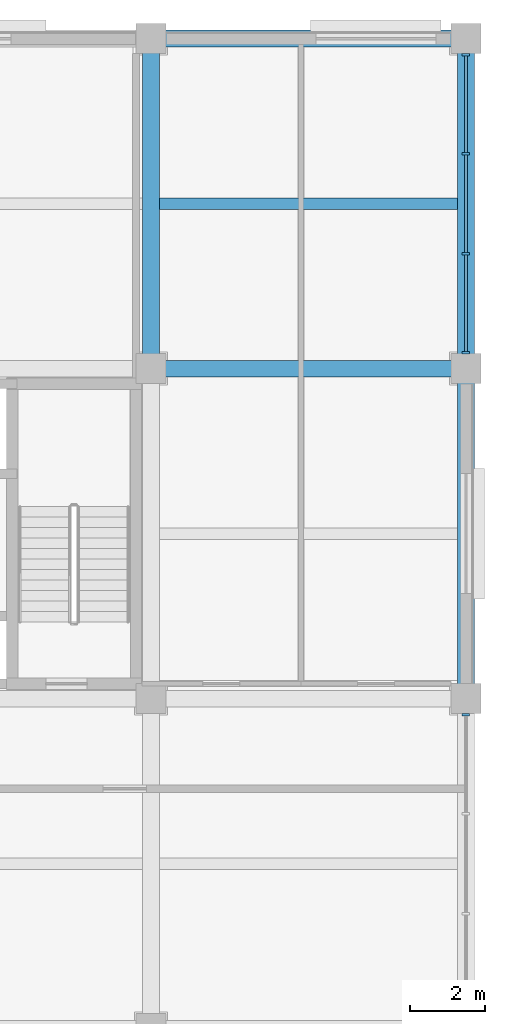
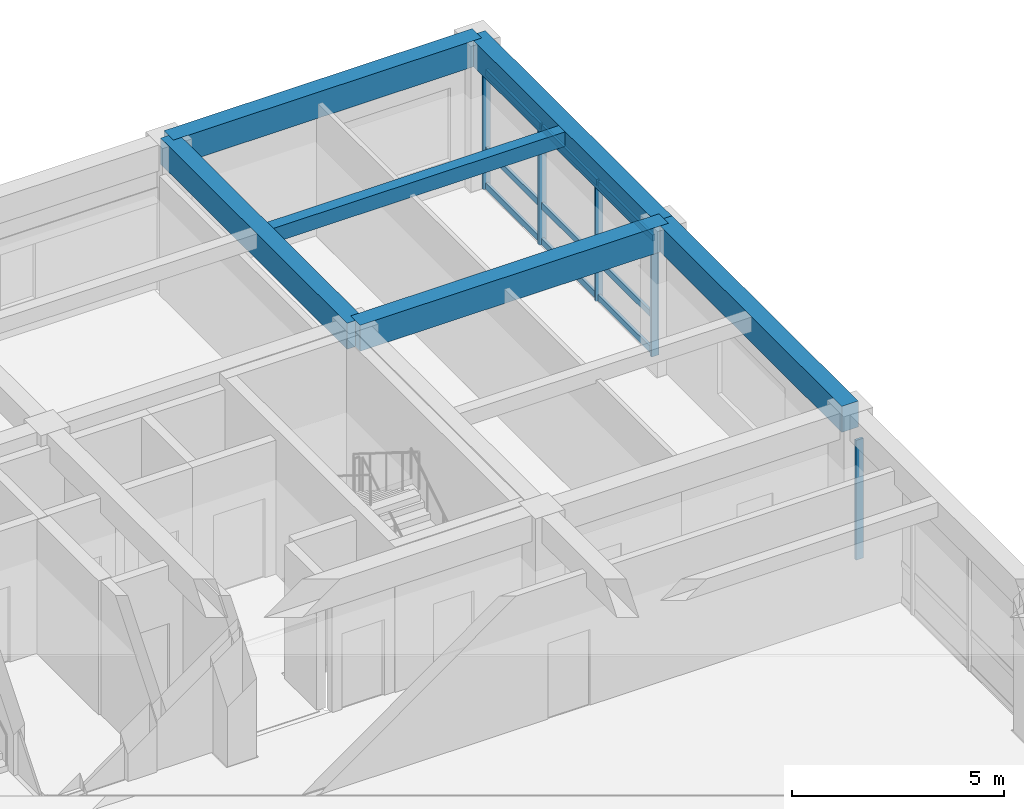
# One storey, part 28 of 57: 14 members, 6 beams, 2 elements without a shape of their own.
"""IFC4 building model written with IfcOpenShell, lengths in metres."""

from ifc_helpers import new_model, si_unit, direction, frame, origin, origin_2d, place, context, subcontext, project, spatial, rectangle, extrude, material, material_profile, profile_set, type_object, element, aggregate, save


model = new_model("IFC4")

# Units and contexts
model_context = context("Model", 3, precision=1e-05, world=origin(), true_north=direction((0.0, 1.0)))
body_context = subcontext(model_context, "Body", "Model", "MODEL_VIEW")
ifc_project = project(units=[si_unit("LENGTHUNIT", "METRE"), si_unit("AREAUNIT", "SQUARE_METRE"), si_unit("VOLUMEUNIT", "CUBIC_METRE"), si_unit("PLANEANGLEUNIT", "RADIAN"), si_unit("MASSUNIT", "GRAM", prefix="KILO")], contexts=[model_context])

# Site, building, storey
site_placement = place(None, origin())
site = spatial("IfcSite", under=ifc_project, at=site_placement, CompositionType="ELEMENT")
building_placement = place(site_placement, origin())
building = spatial("IfcBuilding", under=site, at=building_placement, Name="Kemercrest Conservatory and Botanical Centre", CompositionType="ELEMENT")
storey_placement = place(building_placement, frame((0.0, 0.0, 4.800048828125)))
storey = spatial("IfcBuildingStorey", under=building, at=storey_placement, Name="L01", CompositionType="ELEMENT", Elevation=4.800048828125)

# Beams
ifc_material_1 = material(Name="Concrete C40/50", Category="concrete")
ifc_material_profile_1 = material_profile(ifc_material_1, rectangle(XDim=0.449951171875, YDim=0.75, at=origin_2d()), Name="RC 450x750")
ifc_profile_set_1 = profile_set([ifc_material_profile_1], Name="Concrete C40/50")
beam_type_1 = type_object("IfcBeamType", Name="BM-RC75", PredefinedType="BEAM", material=ifc_profile_set_1)
beam_1_placement = place(storey_placement, frame((167.60009765625, 113.60009765625, 3.824951171875), z_axis=(1.0, 0.0, 0.0), x_axis=(0.0, 1.0, 0.0)))
element("IfcBeam", 1, at=beam_1_placement, inside=storey, type_object=beam_type_1, Name="V4-L02 beam BM-RC75 N/20-21", PredefinedType="BEAM", context=body_context, shape_type="SweptSolid", body=[
    extrude(rectangle(XDim=0.449951171875, YDim=0.75, at=origin_2d()), origin(), (0.0, 0.0, 1.0), 8.39990234375),
])
beam_2_placement = place(storey_placement, frame((167.60009765625, 113.60009765625, 3.824951171875), z_axis=(0.0, 1.0, 0.0), x_axis=(-1.0, 0.0, 0.0)))
element("IfcBeam", 2, at=beam_2_placement, inside=storey, type_object=beam_type_1, Name="V4-L02 beam BM-RC75 20/N-P", PredefinedType="BEAM", context=body_context, shape_type="SweptSolid", body=[
    extrude(rectangle(XDim=0.449951171875, YDim=0.75, at=origin_2d()), origin(), (0.0, 0.0, 1.0), 8.7998046875),
])

# Curtain wall, member
ifc_material_2 = material(Name="Thermally broken aluminium and triple low-e glazing", Category="aluminium")
curtain_wall_type_1 = type_object("IfcCurtainWallType", Name="CW-23", PredefinedType="USERDEFINED", material=ifc_material_2)
curtain_wall_1_placement = place(storey_placement, origin())
curtain_wall_1 = element("IfcCurtainWall", 3, at=curtain_wall_1_placement, inside=storey, type_object=curtain_wall_type_1, Name="Unitised curtain wall CW-23 (CW:L01:V4-052)", ObjectType="UNITISED CURTAIN WALL", PredefinedType="USERDEFINED")
ifc_material_3 = material(Name="Thermally broken anodized aluminium 6063-T6", Category="aluminium")
ifc_material_profile_2 = material_profile(ifc_material_3, rectangle(XDim=0.199951171875, YDim=0.06494140625, at=origin_2d()), Name="AL MULLION 65x200")
ifc_profile_set_2 = profile_set([ifc_material_profile_2], Name="Thermally broken anodized aluminium 6063-T6")
member_type_1 = type_object("IfcMemberType", Name="CW-M200", PredefinedType="MULLION", material=ifc_profile_set_2)
member_1_placement = place(storey_placement, frame((176.0, 104.37255859375, 0.0), z_axis=(0.0, 0.0, 1.0), x_axis=(-1.0, 0.0, 0.0)))
member_1 = element("IfcMember", 4, at=member_1_placement, type_object=member_type_1, Name="CW-23 mullion 4", PredefinedType="MULLION", context=body_context, shape_type="SweptSolid", body=[
    extrude(rectangle(XDim=0.199951171875, YDim=0.06494140625, at=origin_2d()), origin(), (0.0, 0.0, 1.0), 3.454833984375),
])
aggregate(curtain_wall_1, [member_1])

# Curtain wall, members
curtain_wall_type_2 = type_object("IfcCurtainWallType", Name="CW-24", PredefinedType="USERDEFINED", material=ifc_material_2)
curtain_wall_2_placement = place(storey_placement, origin())
curtain_wall_2 = element("IfcCurtainWall", 5, at=curtain_wall_2_placement, inside=storey, type_object=curtain_wall_type_2, Name="Unitised curtain wall CW-24 (CW:L01:V4-053)", ObjectType="UNITISED CURTAIN WALL", PredefinedType="USERDEFINED")
member_2_placement = place(storey_placement, frame((176.0, 114.027587890625, 0.0), z_axis=(0.0, 0.0, 1.0), x_axis=(-1.0, 0.0, 0.0)))
member_2 = element("IfcMember", 6, at=member_2_placement, type_object=member_type_1, Name="CW-24 mullion 1", PredefinedType="MULLION", context=body_context, shape_type="SweptSolid", body=[
    extrude(rectangle(XDim=0.199951171875, YDim=0.06494140625, at=origin_2d()), origin(), (0.0, 0.0, 1.0), 3.454833984375),
])
member_3_placement = place(storey_placement, frame((176.0, 116.6650390625, 0.0), z_axis=(0.0, 0.0, 1.0), x_axis=(-1.0, 0.0, 0.0)))
member_3 = element("IfcMember", 7, at=member_3_placement, type_object=member_type_1, Name="CW-24 mullion 2", PredefinedType="MULLION", context=body_context, shape_type="SweptSolid", body=[
    extrude(rectangle(XDim=0.199951171875, YDim=0.06494140625, at=origin_2d()), origin(), (0.0, 0.0, 1.0), 3.454833984375),
])
member_4_placement = place(storey_placement, frame((176.0, 119.3349609375, 0.0), z_axis=(0.0, 0.0, 1.0), x_axis=(-1.0, 0.0, 0.0)))
member_4 = element("IfcMember", 8, at=member_4_placement, type_object=member_type_1, Name="CW-24 mullion 3", PredefinedType="MULLION", context=body_context, shape_type="SweptSolid", body=[
    extrude(rectangle(XDim=0.199951171875, YDim=0.06494140625, at=origin_2d()), origin(), (0.0, 0.0, 1.0), 3.454833984375),
])
member_5_placement = place(storey_placement, frame((176.0, 121.972412109375, 0.0), z_axis=(0.0, 0.0, 1.0), x_axis=(-1.0, 0.0, 0.0)))
member_5 = element("IfcMember", 9, at=member_5_placement, type_object=member_type_1, Name="CW-24 mullion 4", PredefinedType="MULLION", context=body_context, shape_type="SweptSolid", body=[
    extrude(rectangle(XDim=0.199951171875, YDim=0.06494140625, at=origin_2d()), origin(), (0.0, 0.0, 1.0), 3.454833984375),
])
ifc_material_profile_3 = material_profile(ifc_material_3, rectangle(XDim=0.074951171875, YDim=0.179931640625, at=origin_2d()), Name="AL TRANSOM 75x180")
ifc_profile_set_3 = profile_set([ifc_material_profile_3], Name="Thermally broken anodized aluminium 6063-T6")
member_type_2 = type_object("IfcMemberType", Name="CW-T180", PredefinedType="USERDEFINED", material=ifc_profile_set_3)
member_6_placement = place(storey_placement, frame((176.0, 114.06005859375, 0.08984375), z_axis=(0.0, 1.0, 0.0), x_axis=(-1.0, 0.0, 0.0)))
member_6 = element("IfcMember", 10, at=member_6_placement, type_object=member_type_2, Name="CW-24 transom 1.1", ObjectType="TRANSOM", PredefinedType="USERDEFINED", context=body_context, shape_type="SweptSolid", body=[
    extrude(rectangle(XDim=0.074951171875, YDim=0.179931640625, at=origin_2d()), origin(), (0.0, 0.0, 1.0), 2.572509765625),
])
member_7_placement = place(storey_placement, frame((176.0, 114.06005859375, 1.119873046875), z_axis=(0.0, 1.0, 0.0), x_axis=(-1.0, 0.0, 0.0)))
member_7 = element("IfcMember", 11, at=member_7_placement, type_object=member_type_2, Name="CW-24 transom 1.2", ObjectType="TRANSOM", PredefinedType="USERDEFINED", context=body_context, shape_type="SweptSolid", body=[
    extrude(rectangle(XDim=0.074951171875, YDim=0.179931640625, at=origin_2d()), origin(), (0.0, 0.0, 1.0), 2.572509765625),
])
member_8_placement = place(storey_placement, frame((176.0, 114.06005859375, 3.364990234375), z_axis=(0.0, 1.0, 0.0), x_axis=(-1.0, 0.0, 0.0)))
member_8 = element("IfcMember", 12, at=member_8_placement, type_object=member_type_2, Name="CW-24 transom 1.3", ObjectType="TRANSOM", PredefinedType="USERDEFINED", context=body_context, shape_type="SweptSolid", body=[
    extrude(rectangle(XDim=0.074951171875, YDim=0.179931640625, at=origin_2d()), origin(), (0.0, 0.0, 1.0), 2.572509765625),
])
member_9_placement = place(storey_placement, frame((176.0, 116.697509765625, 0.08984375), z_axis=(0.0, 1.0, 0.0), x_axis=(-1.0, 0.0, 0.0)))
member_9 = element("IfcMember", 13, at=member_9_placement, type_object=member_type_2, Name="CW-24 transom 2.1", ObjectType="TRANSOM", PredefinedType="USERDEFINED", context=body_context, shape_type="SweptSolid", body=[
    extrude(rectangle(XDim=0.074951171875, YDim=0.179931640625, at=origin_2d()), origin(), (0.0, 0.0, 1.0), 2.60498046875),
])
member_10_placement = place(storey_placement, frame((176.0, 116.697509765625, 1.119873046875), z_axis=(0.0, 1.0, 0.0), x_axis=(-1.0, 0.0, 0.0)))
member_10 = element("IfcMember", 14, at=member_10_placement, type_object=member_type_2, Name="CW-24 transom 2.2", ObjectType="TRANSOM", PredefinedType="USERDEFINED", context=body_context, shape_type="SweptSolid", body=[
    extrude(rectangle(XDim=0.074951171875, YDim=0.179931640625, at=origin_2d()), origin(), (0.0, 0.0, 1.0), 2.60498046875),
])
member_11_placement = place(storey_placement, frame((176.0, 116.697509765625, 3.364990234375), z_axis=(0.0, 1.0, 0.0), x_axis=(-1.0, 0.0, 0.0)))
member_11 = element("IfcMember", 15, at=member_11_placement, type_object=member_type_2, Name="CW-24 transom 2.3", ObjectType="TRANSOM", PredefinedType="USERDEFINED", context=body_context, shape_type="SweptSolid", body=[
    extrude(rectangle(XDim=0.074951171875, YDim=0.179931640625, at=origin_2d()), origin(), (0.0, 0.0, 1.0), 2.60498046875),
])
member_12_placement = place(storey_placement, frame((176.0, 119.367431640625, 0.08984375), z_axis=(0.0, 1.0, 0.0), x_axis=(-1.0, 0.0, 0.0)))
member_12 = element("IfcMember", 16, at=member_12_placement, type_object=member_type_2, Name="CW-24 transom 3.1", ObjectType="TRANSOM", PredefinedType="USERDEFINED", context=body_context, shape_type="SweptSolid", body=[
    extrude(rectangle(XDim=0.074951171875, YDim=0.179931640625, at=origin_2d()), origin(), (0.0, 0.0, 1.0), 2.572509765625),
])
member_13_placement = place(storey_placement, frame((176.0, 119.367431640625, 1.119873046875), z_axis=(0.0, 1.0, 0.0), x_axis=(-1.0, 0.0, 0.0)))
member_13 = element("IfcMember", 17, at=member_13_placement, type_object=member_type_2, Name="CW-24 transom 3.2", ObjectType="TRANSOM", PredefinedType="USERDEFINED", context=body_context, shape_type="SweptSolid", body=[
    extrude(rectangle(XDim=0.074951171875, YDim=0.179931640625, at=origin_2d()), origin(), (0.0, 0.0, 1.0), 2.572509765625),
])
member_14_placement = place(storey_placement, frame((176.0, 119.367431640625, 3.364990234375), z_axis=(0.0, 1.0, 0.0), x_axis=(-1.0, 0.0, 0.0)))
member_14 = element("IfcMember", 18, at=member_14_placement, type_object=member_type_2, Name="CW-24 transom 3.3", ObjectType="TRANSOM", PredefinedType="USERDEFINED", context=body_context, shape_type="SweptSolid", body=[
    extrude(rectangle(XDim=0.074951171875, YDim=0.179931640625, at=origin_2d()), origin(), (0.0, 0.0, 1.0), 2.572509765625),
])
aggregate(curtain_wall_2, [member_2, member_3, member_4, member_5, member_6, member_7, member_8, member_9, member_10, member_11, member_12, member_13, member_14])

# Beams
ifc_material_profile_4 = material_profile(ifc_material_1, rectangle(XDim=0.300048828125, YDim=0.419921875, at=origin_2d()), Name="RC 300x420")
ifc_profile_set_4 = profile_set([ifc_material_profile_4], Name="Concrete C40/50")
beam_type_2 = type_object("IfcBeamType", Name="JS-RC42", PredefinedType="JOIST", material=ifc_profile_set_4)
beam_3_placement = place(storey_placement, frame((167.824951171875, 118.0, 3.989990234375), z_axis=(1.0, 0.0, 0.0), x_axis=(0.0, 1.0, 0.0)))
element("IfcBeam", 19, at=beam_3_placement, inside=storey, type_object=beam_type_2, Name="V4-L02 secondary joist JS-RC42", PredefinedType="JOIST", context=body_context, shape_type="SweptSolid", body=[
    extrude(rectangle(XDim=0.300048828125, YDim=0.419921875, at=origin_2d()), origin(), (0.0, 0.0, 1.0), 7.949951171875),
])
ifc_material_profile_5 = material_profile(ifc_material_1, rectangle(XDim=0.449951171875, YDim=0.75, at=origin_2d()), Name="RC 450x750")
ifc_profile_set_5 = profile_set([ifc_material_profile_5], Name="Concrete C40/50")
beam_type_3 = type_object("IfcBeamType", Name="SP-RC75", PredefinedType="SPANDREL", material=ifc_profile_set_5)
beam_4_placement = place(storey_placement, frame((167.60009765625, 122.39990234375, 3.824951171875), z_axis=(1.0, 0.0, 0.0), x_axis=(0.0, 1.0, 0.0)))
element("IfcBeam", 20, at=beam_4_placement, inside=storey, type_object=beam_type_3, Name="V4-L02 beam SP-RC75 P/20-21", PredefinedType="SPANDREL", context=body_context, shape_type="SweptSolid", body=[
    extrude(rectangle(XDim=0.449951171875, YDim=0.75, at=origin_2d()), origin(), (0.0, 0.0, 1.0), 8.39990234375),
])
beam_5_placement = place(storey_placement, frame((176.0, 104.800048828125, 3.824951171875), z_axis=(0.0, 1.0, 0.0), x_axis=(-1.0, 0.0, 0.0)))
element("IfcBeam", 21, at=beam_5_placement, inside=storey, type_object=beam_type_3, Name="V4-L02 beam SP-RC75 21/M-N", PredefinedType="SPANDREL", context=body_context, shape_type="SweptSolid", body=[
    extrude(rectangle(XDim=0.449951171875, YDim=0.75, at=origin_2d()), origin(), (0.0, 0.0, 1.0), 8.800048828125),
])
beam_6_placement = place(storey_placement, frame((176.0, 113.60009765625, 3.824951171875), z_axis=(0.0, 1.0, 0.0), x_axis=(-1.0, 0.0, 0.0)))
element("IfcBeam", 22, at=beam_6_placement, inside=storey, type_object=beam_type_3, Name="V4-L02 beam SP-RC75 21/N-P", PredefinedType="SPANDREL", context=body_context, shape_type="SweptSolid", body=[
    extrude(rectangle(XDim=0.449951171875, YDim=0.75, at=origin_2d()), origin(), (0.0, 0.0, 1.0), 8.7998046875),
])

save(model, "model.ifc")
